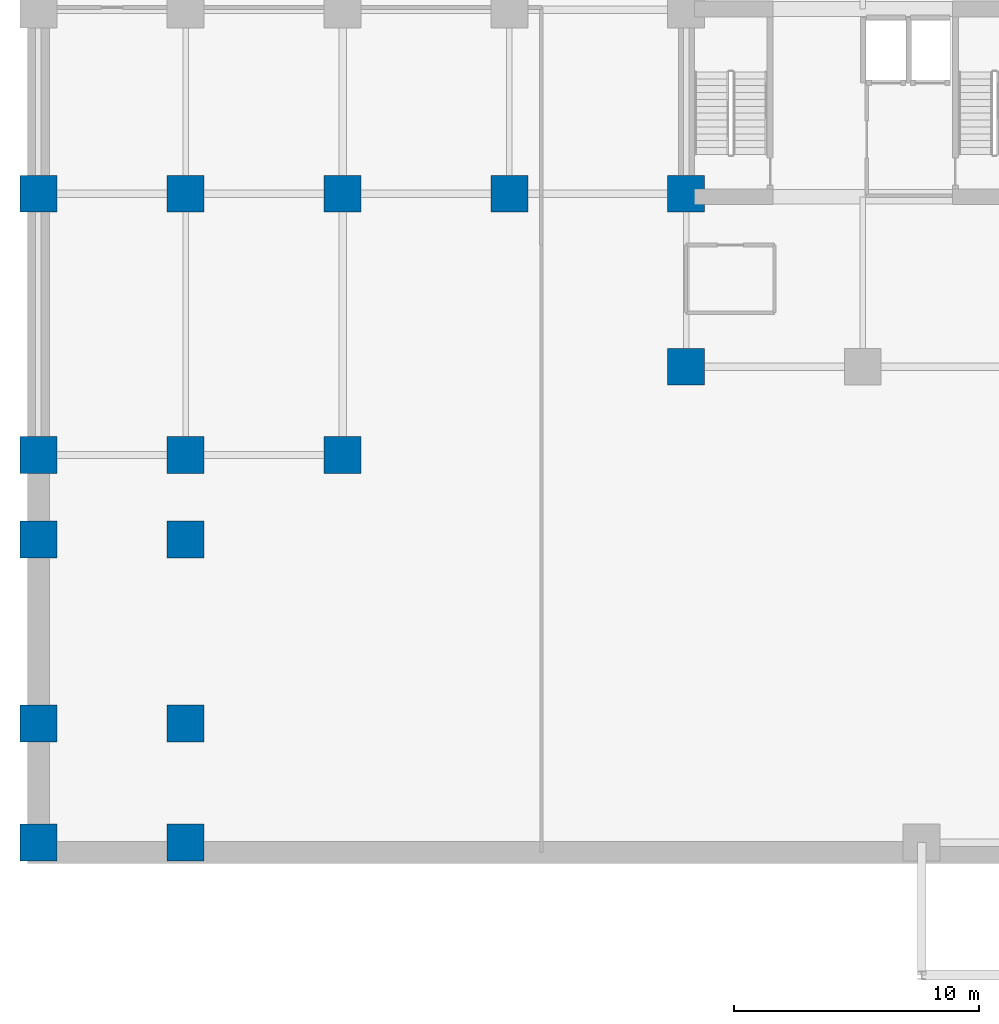
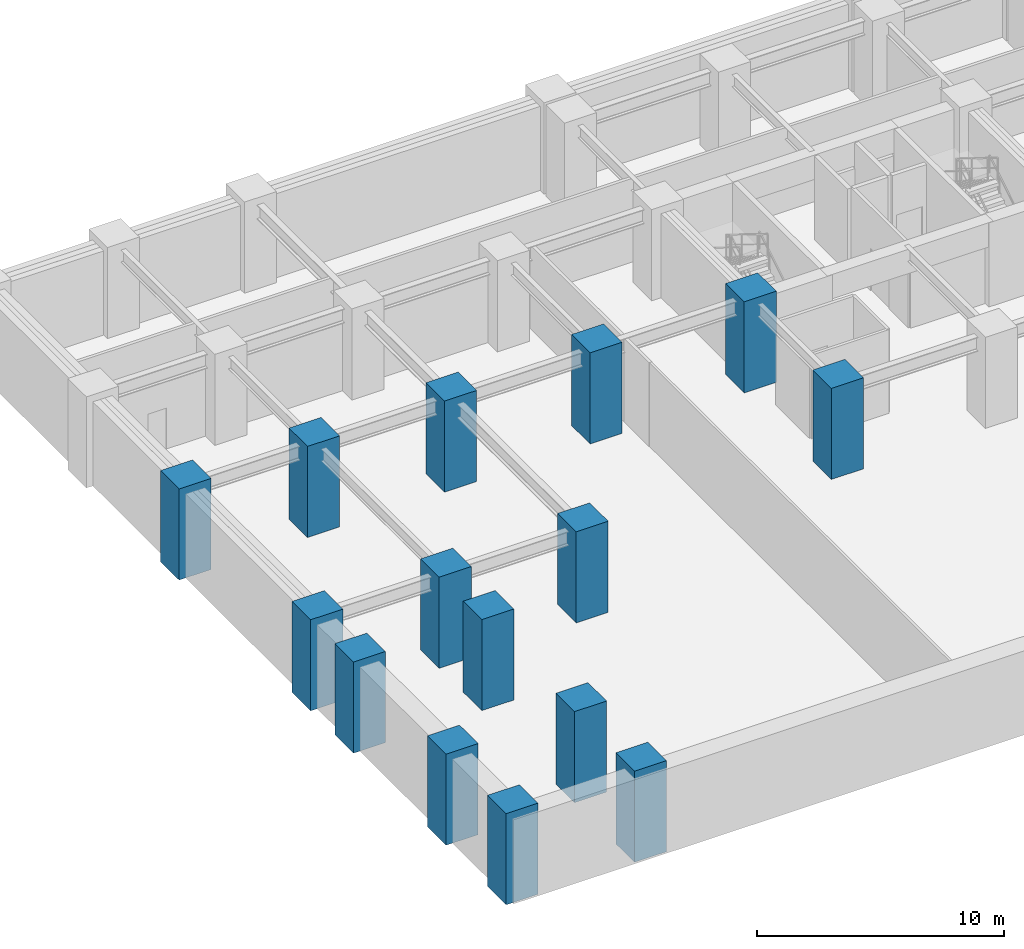
# One storey, part 1 of 11: 15 columns.
"""IFC4 building model written with IfcOpenShell, lengths in metres."""

from ifc_helpers import new_model, si_unit, direction, frame, origin, origin_2d, place, context, subcontext, project, spatial, rectangle, extrude, source, transform, mapped, material, material_profile, profile_set, type_object, element, save


model = new_model("IFC4")

# Units and contexts
model_context = context("Model", 3, precision=1e-05, world=origin(), true_north=direction((0.0, 1.0)))
body_context = subcontext(model_context, "Body", "Model", "MODEL_VIEW")
ifc_project = project(units=[si_unit("LENGTHUNIT", "METRE"), si_unit("AREAUNIT", "SQUARE_METRE"), si_unit("VOLUMEUNIT", "CUBIC_METRE"), si_unit("PLANEANGLEUNIT", "RADIAN"), si_unit("MASSUNIT", "GRAM", prefix="KILO")], contexts=[model_context])

# Site, building, storey
site_placement = place(None, origin())
site = spatial("IfcSite", under=ifc_project, at=site_placement, CompositionType="ELEMENT")
building_placement = place(site_placement, origin())
building = spatial("IfcBuilding", under=site, at=building_placement, Name="Kaliganga Portal Commons", CompositionType="ELEMENT")
storey_placement = place(building_placement, frame((0.0, 0.0, -4.5)))
storey = spatial("IfcBuildingStorey", under=building, at=storey_placement, Name="B1", CompositionType="ELEMENT", Elevation=-4.5)

# Columns
ifc_material = material(Name="Concrete C70/85", Category="concrete")
ifc_material_profile = material_profile(ifc_material, rectangle(XDim=1.5, YDim=1.5, at=origin_2d()), Name="RC 1500x1500")
ifc_profile_set = profile_set([ifc_material_profile], Name="Concrete C70/85")
column_type = type_object("IfcColumnType", Name="COL-MEGA-Z0", PredefinedType="COLUMN", material=ifc_profile_set)
shared_shape = source(origin(), body_context, "Body", "SweptSolid", [
    extrude(rectangle(XDim=1.5, YDim=1.5, at=origin_2d()), origin(), (0.0, 0.0, 1.0), 4.5),
])
for number, where, z_axis, x_axis, name in (
    (1, (7.199951171875, 28.64990234375, 0.0), (0.0, 0.0, 1.0), (1.0, 0.0, 0.0), "Column MC-01 B1"),
    (2, (14.39990234375, 21.60009765625, 0.0), (0.0, 0.0, 1.0), (1.0, 0.0, 0.0), "Column MC-01 B1"),
    (3, (14.39990234375, 28.64990234375, 0.0), (0.0, 0.0, 1.0), (1.0, 0.0, 0.0), "Column MC-01 B1"),
    (4, (0.39990234375, 18.0, 0.0), (0.0, 0.0, 1.0), (1.0, 0.0, 0.0), "Column MC-01 B1"),
    (5, (0.39990234375, 28.64990234375, 0.0), (0.0, 0.0, 1.0), (1.0, 0.0, 0.0), "Column MC-01 B1"),
    (6, (-12.0, 18.0, 0.0), (0.0, 0.0, 1.0), (1.0, 0.0, 0.0), "Column MC-01 B1"),
    (7, (-12.0, 28.64990234375, 0.0), (0.0, 0.0, 1.0), (1.0, 0.0, 0.0), "Column MC-01 B1"),
    (8, (-6.0, 18.0, 0.0), (0.0, 0.0, 1.0), (1.0, 0.0, 0.0), "Column MC-01 B1"),
    (9, (-6.0, 28.64990234375, 0.0), (0.0, 0.0, 1.0), (1.0, 0.0, 0.0), "Column MC-01 B1"),
    (10, (-12.0, 2.199951171875, 0.0), (0.0, 0.0, 1.0), (1.0, 0.0, 0.0), "Column MC-01 B1"),
    (11, (-6.0, 2.199951171875, 0.0), (0.0, 0.0, 1.0), (1.0, 0.0, 0.0), "Column MC-01 B1"),
    (12, (-12.0, 7.050048828125, 0.0), (0.0, 0.0, 1.0), (1.0, 0.0, 0.0), "Column MC-01 B1"),
    (13, (-6.0, 7.050048828125, 0.0), (0.0, 0.0, 1.0), (1.0, 0.0, 0.0), "Column MC-01 B1"),
    (14, (-12.0, 14.550048828125, 0.0), (0.0, 0.0, 1.0), (1.0, 0.0, 0.0), "Column MC-01 B1"),
    (15, (-6.0, 14.550048828125, 0.0), (0.0, 0.0, 1.0), (1.0, 0.0, 0.0), "Column MC-01 B1"),
):
    element("IfcColumn", number, at=place(storey_placement, frame(where, z_axis=z_axis, x_axis=x_axis)), inside=storey, type_object=column_type, Name=name, PredefinedType="COLUMN", context=body_context, shape_type="MappedRepresentation", body=[
        mapped(shared_shape, transform((0.0, 0.0, 0.0), x_axis=(1.0, 0.0, 0.0), y_axis=(0.0, 1.0, 0.0), z_axis=(0.0, 0.0, 1.0), scale=1.0)),
    ])

save(model, "model.ifc")
